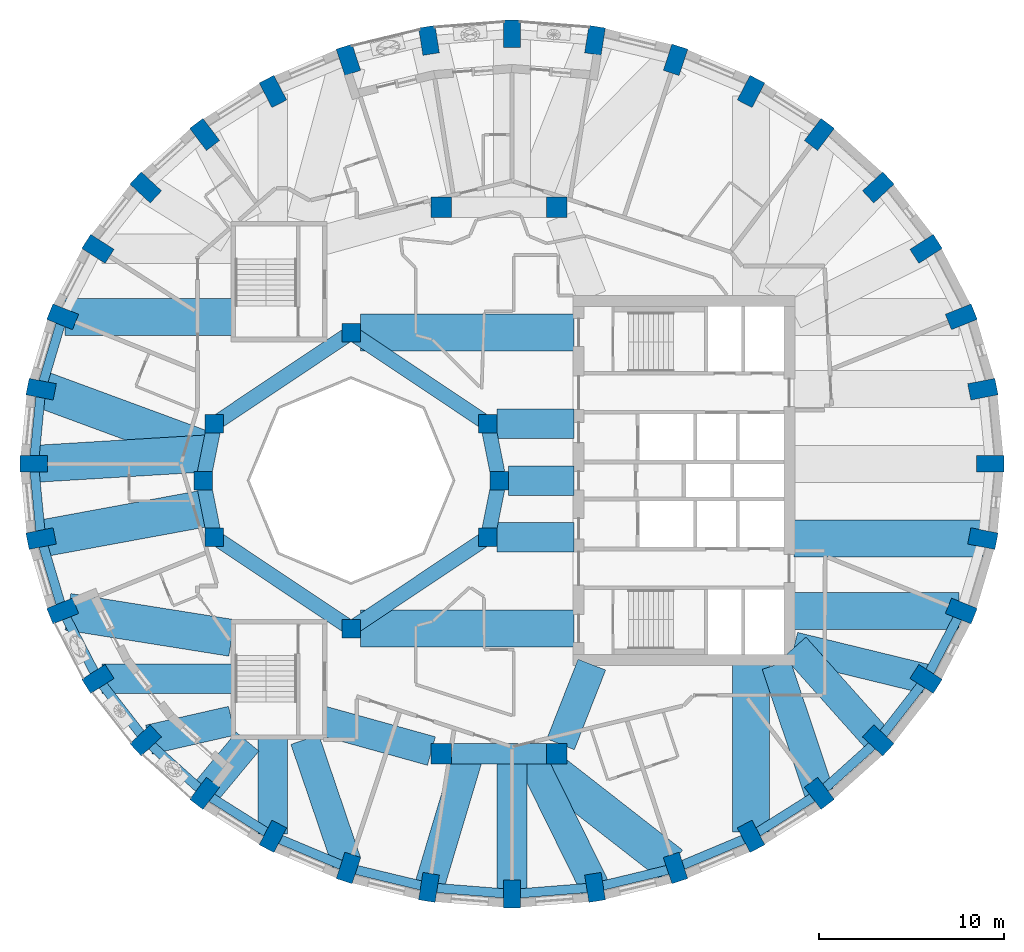
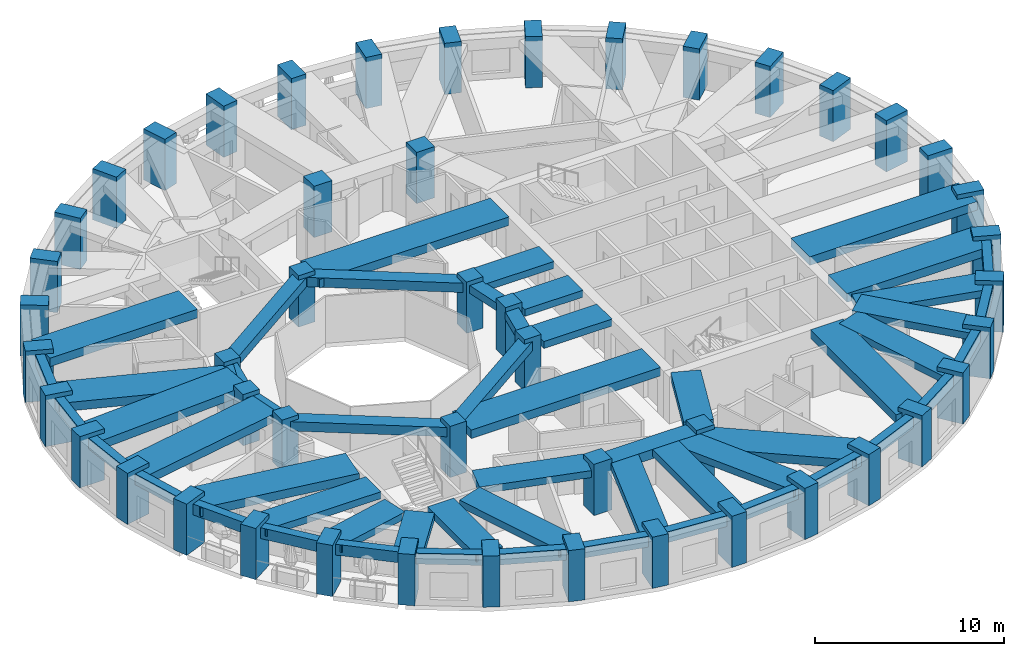
# One storey, part 1 of 12: 54 beams, 48 columns.
"""IFC4 building model written with IfcOpenShell, lengths in metres."""

from ifc_helpers import new_model, si_unit, direction, frame, origin, origin_2d, place, context, subcontext, project, spatial, rectangle, extrude, material, material_profile, profile_set, type_object, element, save


model = new_model("IFC4")

# Units and contexts
model_context = context("Model", 3, precision=1e-05, world=origin(), true_north=direction((0.0, 1.0)))
body_context = subcontext(model_context, "Body", "Model", "MODEL_VIEW")
ifc_project = project(units=[si_unit("LENGTHUNIT", "METRE"), si_unit("AREAUNIT", "SQUARE_METRE"), si_unit("VOLUMEUNIT", "CUBIC_METRE"), si_unit("PLANEANGLEUNIT", "RADIAN"), si_unit("MASSUNIT", "GRAM", prefix="KILO")], contexts=[model_context])

# Site, building, storey
site_placement = place(None, origin())
site = spatial("IfcSite", under=ifc_project, at=site_placement, CompositionType="ELEMENT")
building_placement = place(site_placement, origin())
building = spatial("IfcBuilding", under=site, at=building_placement, Name="Taillehof Tower", CompositionType="ELEMENT")
storey_placement = place(building_placement, frame((0.0, 0.0, 218.89990234375)))
storey = spatial("IfcBuildingStorey", under=building, at=storey_placement, Name="L62", CompositionType="ELEMENT", Elevation=218.89990234375)

# Columns
ifc_material_1 = material(Name="Concrete C50/60", Category="concrete")
ifc_material_profile_1 = material_profile(ifc_material_1, rectangle(XDim=1.0, YDim=1.0, at=origin_2d()), Name="RC 1000x1000")
ifc_profile_set_1 = profile_set([ifc_material_profile_1], Name="Concrete C50/60")
column_type_1 = type_object("IfcColumnType", Name="Atrium ring column C50/60 1000x1000", PredefinedType="COLUMN", material=ifc_profile_set_1)
for number, where, z_axis, x_axis, name in (
    (1, (0.0, 0.0, 0.0), (0.0, 0.0, 1.0), (1.0, 0.0, 0.0), "Column AC01"),
    (2, (-0.60888671875, 3.0615234375, 0.0), (0.0, 0.0, 1.0), (1.0, 0.0, 0.0), "Column AC02"),
    (3, (-8.0, 8.0, 0.0), (0.0, 0.0, 1.0), (1.0, 0.0, 0.0), "Column AC05"),
    (4, (-15.39111328125, 3.0615234375, 0.0), (0.0, 0.0, 1.0), (1.0, 0.0, 0.0), "Column AC08"),
    (5, (-16.0, 0.0, 0.0), (0.0, 0.0, 1.0), (1.0, 0.0, 0.0), "Column AC09"),
    (6, (-15.39111328125, -3.0615234375, 0.0), (0.0, 0.0, 1.0), (1.0, 0.0, 0.0), "Column AC10"),
    (7, (-8.0, -8.0, 0.0), (0.0, 0.0, 1.0), (1.0, 0.0, 0.0), "Column AC13"),
    (8, (-0.60888671875, -3.0615234375, 0.0), (0.0, 0.0, 1.0), (1.0, 0.0, 0.0), "Column AC16"),
):
    element("IfcColumn", number, at=place(storey_placement, frame(where, z_axis=z_axis, x_axis=x_axis)), inside=storey, type_object=column_type_1, Name=name, PredefinedType="COLUMN", context=body_context, shape_type="SweptSolid", body=[
        extrude(rectangle(XDim=1.0, YDim=1.0, at=origin_2d()), origin(), (0.0, 0.0, 1.0), 3.300048828125),
    ])
ifc_material_2 = material(Name="Concrete C50/60", Category="concrete")
ifc_material_profile_2 = material_profile(ifc_material_2, rectangle(XDim=1.10009765625, YDim=1.10009765625, at=origin_2d()), Name="RC 1100x1100")
ifc_profile_set_2 = profile_set([ifc_material_profile_2], Name="Concrete C50/60")
column_type_2 = type_object("IfcColumnType", Name="Mid-ring column C50/60 1100x1100", PredefinedType="COLUMN", material=ifc_profile_set_2)
for number, where, z_axis, x_axis, name in (
    (9, (3.125732421875, 14.772216796875, 0.0), (0.0, 0.0, 1.0), (1.0, 0.0, 0.0), "Column MC05"),
    (10, (-3.125732421875, 14.772216796875, 0.0), (0.0, 0.0, 1.0), (1.0, 0.0, 0.0), "Column MC06"),
    (11, (-3.125732421875, -14.772216796875, 0.0), (0.0, 0.0, 1.0), (1.0, 0.0, 0.0), "Column MC14"),
    (12, (3.125732421875, -14.772216796875, 0.0), (0.0, 0.0, 1.0), (1.0, 0.0, 0.0), "Column MC15"),
):
    element("IfcColumn", number, at=place(storey_placement, frame(where, z_axis=z_axis, x_axis=x_axis)), inside=storey, type_object=column_type_2, Name=name, PredefinedType="COLUMN", context=body_context, shape_type="SweptSolid", body=[
        extrude(rectangle(XDim=1.10009765625, YDim=1.10009765625, at=origin_2d()), origin(), (0.0, 0.0, 1.0), 3.300048828125),
    ])
ifc_material_3 = material(Name="Concrete C60/75", Category="concrete")
ifc_material_profile_3 = material_profile(ifc_material_3, rectangle(XDim=1.5, YDim=0.89990234375, at=origin_2d()), Name="RC 1500x900")
ifc_profile_set_3 = profile_set([ifc_material_profile_3], Name="Concrete C60/75")
column_type_3 = type_object("IfcColumnType", Name="Ring column C60/75 1500x900", PredefinedType="COLUMN", material=ifc_profile_set_3)
for number, where, z_axis, x_axis, name in (
    (13, (26.550048828125, 0.89990234375, 0.0), (0.0, 0.0, 1.0), (1.0, 0.0, 0.0), "Ring column RC01"),
    (14, (26.1572265625, 4.937255859375, 0.0), (0.0, 0.0, 1.0), (0.981433894538, 0.191800705555, 0.0), "Ring column RC02"),
    (15, (24.990966796875, 8.85205078125, 0.0), (0.0, 0.0, 1.0), (0.927385290523, 0.374107635477, 0.0), "Ring column RC03"),
    (16, (23.086669921875, 12.52490234375, 0.0), (0.0, 0.0, 1.0), (0.84231094199, 0.538991908107, 0.0), "Ring column RC04"),
    (17, (20.502197265625, 15.8447265625, 0.0), (0.0, 0.0, 1.0), (0.732270888356, 0.681013469813, 0.0), "Ring column RC05"),
    (18, (17.316162109375, 18.71044921875, 0.0), (0.0, 0.0, 1.0), (0.60360770772, 0.797281465469, 0.0), "Ring column RC06"),
    (19, (13.625, 21.03515625, 0.0), (0.0, 0.0, 1.0), (0.461993199576, 0.886883466722, 0.0), "Ring column RC07"),
    (20, (9.541259765625, 22.747802734375, 0.0), (0.0, 0.0, 1.0), (0.312001306843, 0.950081672557, 0.0), "Ring column RC08"),
    (21, (5.188720703125, 23.796875, 0.0), (0.0, 0.0, 1.0), (0.157116034607, 0.987580149491, 0.0), "Ring column RC09"),
    (22, (0.699951171875, 24.14990234375, 0.0), (0.0, 0.0, 1.0), (0.0, 1.0, 0.0), "Ring column RC10"),
    (23, (-3.788818359375, 23.796875, 0.0), (0.0, 0.0, 1.0), (-0.157116034607, 0.987580149491, 0.0), "Ring column RC11"),
    (24, (-8.14111328125, 22.747802734375, 0.0), (0.0, 0.0, 1.0), (-0.312001306843, 0.950081672557, 0.0), "Ring column RC12"),
    (25, (-12.22509765625, 21.03515625, 0.0), (0.0, 0.0, 1.0), (-0.461993199576, 0.886883466722, 0.0), "Ring column RC13"),
    (26, (-15.916015625, 18.71044921875, 0.0), (0.0, 0.0, 1.0), (-0.60360770772, 0.797281465469, 0.0), "Ring column RC14"),
    (27, (-19.102294921875, 15.8447265625, 0.0), (0.0, 0.0, 1.0), (-0.732270888356, 0.681013469813, 0.0), "Ring column RC15"),
    (28, (-21.686767578125, 12.52490234375, 0.0), (0.0, 0.0, 1.0), (-0.84231094199, 0.538991908107, 0.0), "Ring column RC16"),
    (29, (-23.591064453125, 8.85205078125, 0.0), (0.0, 0.0, 1.0), (-0.927385290523, 0.374107635477, 0.0), "Ring column RC17"),
    (30, (-24.75732421875, 4.937255859375, 0.0), (0.0, 0.0, 1.0), (-0.981433894538, 0.191800705555, 0.0), "Ring column RC18"),
    (31, (-25.14990234375, 0.89990234375, 0.0), (0.0, 0.0, 1.0), (-1.0, 0.0, 0.0), "Ring column RC19"),
    (32, (-24.75732421875, -3.13720703125, 0.0), (0.0, 0.0, 1.0), (-0.981433894538, -0.191800705555, 0.0), "Ring column RC20"),
    (33, (-23.591064453125, -7.052001953125, 0.0), (0.0, 0.0, 1.0), (-0.927385290523, -0.374107635477, 0.0), "Ring column RC21"),
    (34, (-21.686767578125, -10.72509765625, 0.0), (0.0, 0.0, 1.0), (-0.84231094199, -0.538991908107, 0.0), "Ring column RC22"),
    (35, (-19.102294921875, -14.044921875, 0.0), (0.0, 0.0, 1.0), (-0.732270888356, -0.681013469813, 0.0), "Ring column RC23"),
    (36, (-15.916015625, -16.91064453125, 0.0), (0.0, 0.0, 1.0), (-0.60360770772, -0.797281465469, 0.0), "Ring column RC24"),
    (37, (-12.22509765625, -19.235107421875, 0.0), (0.0, 0.0, 1.0), (-0.461993199576, -0.886883466722, 0.0), "Ring column RC25"),
    (38, (-8.14111328125, -20.94775390625, 0.0), (0.0, 0.0, 1.0), (-0.312001306843, -0.950081672557, 0.0), "Ring column RC26"),
    (39, (-3.788818359375, -21.996826171875, 0.0), (0.0, 0.0, 1.0), (-0.157116034607, -0.987580149491, 0.0), "Ring column RC27"),
    (40, (0.699951171875, -22.35009765625, 0.0), (0.0, 0.0, 1.0), (0.0, -1.0, 0.0), "Ring column RC28"),
    (41, (5.188720703125, -21.996826171875, 0.0), (0.0, 0.0, 1.0), (0.157116034607, -0.987580149491, 0.0), "Ring column RC29"),
    (42, (9.541259765625, -20.94775390625, 0.0), (0.0, 0.0, 1.0), (0.312001306843, -0.950081672557, 0.0), "Ring column RC30"),
    (43, (13.625, -19.235107421875, 0.0), (0.0, 0.0, 1.0), (0.461993199576, -0.886883466722, 0.0), "Ring column RC31"),
    (44, (17.316162109375, -16.91064453125, 0.0), (0.0, 0.0, 1.0), (0.60360770772, -0.797281465469, 0.0), "Ring column RC32"),
    (45, (20.502197265625, -14.044921875, 0.0), (0.0, 0.0, 1.0), (0.732270888356, -0.681013469813, 0.0), "Ring column RC33"),
    (46, (23.086669921875, -10.72509765625, 0.0), (0.0, 0.0, 1.0), (0.84231094199, -0.538991908107, 0.0), "Ring column RC34"),
    (47, (24.990966796875, -7.052001953125, 0.0), (0.0, 0.0, 1.0), (0.927385290523, -0.374107635477, 0.0), "Ring column RC35"),
    (48, (26.1572265625, -3.13720703125, 0.0), (0.0, 0.0, 1.0), (0.981433894538, -0.191800705555, 0.0), "Ring column RC36"),
):
    element("IfcColumn", number, at=place(storey_placement, frame(where, z_axis=z_axis, x_axis=x_axis)), inside=storey, type_object=column_type_3, Name=name, PredefinedType="COLUMN", context=body_context, shape_type="SweptSolid", body=[
        extrude(rectangle(XDim=1.5, YDim=0.89990234375, at=origin_2d()), origin(), (0.0, 0.0, 1.0), 3.300048828125),
    ])

# Beams
ifc_material_4 = material(Name="Concrete C50/60", Category="concrete")
ifc_material_profile_4 = material_profile(ifc_material_4, rectangle(XDim=0.800048828125, YDim=0.5, at=origin_2d()), Name="RC 800x500")
ifc_profile_set_4 = profile_set([ifc_material_profile_4], Name="Concrete C50/60")
beam_type_1 = type_object("IfcBeamType", Name="Atrium ring beam C50/60 800x500", PredefinedType="BEAM", material=ifc_profile_set_4)
for number, where, z_axis, x_axis, name in (
    (49, (0.0, 0.0, 2.77001953125), (-0.195063155143, 0.980790683839, 0.0), (-0.980790683839, -0.195063155143, 0.0), "Atrium ring beam AB01"),
    (50, (-15.39111328125, 3.0615234375, 2.77001953125), (-0.195063155143, -0.980790683839, 0.0), (0.980790683839, -0.195063155143, 0.0), "Atrium ring beam AB04"),
    (51, (-16.0, 0.0, 2.77001953125), (0.195063155143, -0.980790683839, 0.0), (0.980790683839, 0.195063155143, 0.0), "Atrium ring beam AB05"),
    (52, (-0.60888671875, -3.0615234375, 2.77001953125), (0.195063155143, 0.980790683839, 0.0), (-0.980790683839, 0.195063155143, 0.0), "Atrium ring beam AB08"),
):
    element("IfcBeam", number, at=place(storey_placement, frame(where, z_axis=z_axis, x_axis=x_axis)), inside=storey, type_object=beam_type_1, Name=name, PredefinedType="BEAM", context=body_context, shape_type="SweptSolid", body=[
        extrude(rectangle(XDim=0.800048828125, YDim=0.5, at=origin_2d()), origin(), (0.0, 0.0, 1.0), 3.12158203125),
    ])
ifc_material_5 = material(Name="Concrete C50/60", Category="concrete")
ifc_material_profile_5 = material_profile(ifc_material_5, rectangle(XDim=0.800048828125, YDim=0.60009765625, at=origin_2d()), Name="RC 800x600")
ifc_profile_set_5 = profile_set([ifc_material_profile_5], Name="Concrete C50/60")
beam_type_2 = type_object("IfcBeamType", Name="Atrium ring beam C50/60 800x600", PredefinedType="BEAM", material=ifc_profile_set_5)
for number, where, z_axis, x_axis, name in (
    (53, (-0.60888671875, 3.0615234375, 2.72021484375), (-0.831475195687, 0.555561876804, 0.0), (-0.555561876804, -0.831475195687, 0.0), "Atrium ring beam AB02"),
    (54, (-8.0, 8.0, 2.72021484375), (-0.831475195687, -0.555561876804, 0.0), (0.555561876804, -0.831475195687, 0.0), "Atrium ring beam AB03"),
    (55, (-15.39111328125, -3.0615234375, 2.72021484375), (0.831475195687, -0.555561876804, 0.0), (0.555561876804, 0.831475195687, 0.0), "Atrium ring beam AB06"),
    (56, (-8.0, -8.0, 2.72021484375), (0.831475195687, 0.555561876804, 0.0), (-0.555561876804, 0.831475195687, 0.0), "Atrium ring beam AB07"),
):
    element("IfcBeam", number, at=place(storey_placement, frame(where, z_axis=z_axis, x_axis=x_axis)), inside=storey, type_object=beam_type_2, Name=name, PredefinedType="BEAM", context=body_context, shape_type="SweptSolid", body=[
        extrude(rectangle(XDim=0.800048828125, YDim=0.60009765625, at=origin_2d()), origin(), (0.0, 0.0, 1.0), 8.88916015625),
    ])
ifc_material_6 = material(Name="Concrete C50/60", Category="concrete")
ifc_material_profile_6 = material_profile(ifc_material_6, rectangle(XDim=1.10009765625, YDim=0.60009765625, at=origin_2d()), Name="RC 1100x600")
ifc_profile_set_6 = profile_set([ifc_material_profile_6], Name="Concrete C50/60")
beam_type_3 = type_object("IfcBeamType", Name="Mid-ring beam C50/60 1100x600", PredefinedType="BEAM", material=ifc_profile_set_6)
beam_1_placement = place(storey_placement, frame((-3.125732421875, -14.772216796875, 2.72021484375), z_axis=(1.0, 0.0, 0.0), x_axis=(0.0, 1.0, 0.0)))
element("IfcBeam", 57, at=beam_1_placement, inside=storey, type_object=beam_type_3, Name="Mid-ring beam MB02", PredefinedType="BEAM", context=body_context, shape_type="SweptSolid", body=[
    extrude(rectangle(XDim=1.10009765625, YDim=0.60009765625, at=origin_2d()), origin(), (0.0, 0.0, 1.0), 6.25146484375),
])
ifc_material_7 = material(Name="Concrete C50/60", Category="concrete")
ifc_material_profile_7 = material_profile(ifc_material_7, rectangle(XDim=1.60009765625, YDim=0.449951171875, at=origin_2d()), Name="RC 1600x450")
ifc_profile_set_7 = profile_set([ifc_material_profile_7], Name="Concrete C50/60")
beam_type_4 = type_object("IfcBeamType", Name="Radial band beam C50/60 1600x450", PredefinedType="BEAM", material=ifc_profile_set_7)
beam_2_placement = place(storey_placement, frame((-21.47021484375, -10.72509765625, 2.795166015625), z_axis=(1.0, 0.0, 0.0), x_axis=(0.0, 1.0, 0.0)))
element("IfcBeam", 58, at=beam_2_placement, inside=storey, type_object=beam_type_4, Name="Radial band beam RB22", PredefinedType="BEAM", context=body_context, shape_type="SweptSolid", body=[
    extrude(rectangle(XDim=1.60009765625, YDim=0.449951171875, at=origin_2d()), origin(), (0.0, 0.0, 1.0), 7.020263671875),
])
beam_3_placement = place(storey_placement, frame((-18.929931640625, -14.005615234375, 2.795166015625), z_axis=(0.975193914537, 0.221352273651, 0.0), x_axis=(-0.221352273651, 0.975193914537, 0.0)))
element("IfcBeam", 59, at=beam_3_placement, inside=storey, type_object=beam_type_4, Name="Radial band beam RB23", PredefinedType="BEAM", context=body_context, shape_type="SweptSolid", body=[
    extrude(rectangle(XDim=1.60009765625, YDim=0.449951171875, at=origin_2d()), origin(), (0.0, 0.0, 1.0), 4.5927734375),
])
beam_4_placement = place(storey_placement, frame((-15.916015625, -16.91064453125, 2.795166015625), z_axis=(0.638722345868, 0.769437304066, 0.0), x_axis=(-0.769437304066, 0.638722345868, 0.0)))
element("IfcBeam", 60, at=beam_4_placement, inside=storey, type_object=beam_type_4, Name="Radial band beam RB24", PredefinedType="BEAM", context=body_context, shape_type="SweptSolid", body=[
    extrude(rectangle(XDim=1.60009765625, YDim=0.449951171875, at=origin_2d()), origin(), (0.0, 0.0, 1.0), 3.6328125),
])
beam_5_placement = place(storey_placement, frame((-12.22509765625, -19.101318359375, 2.795166015625), z_axis=(0.0, 1.0, 0.0), x_axis=(-1.0, 0.0, 0.0)))
element("IfcBeam", 61, at=beam_5_placement, inside=storey, type_object=beam_type_4, Name="Radial band beam RB25", PredefinedType="BEAM", context=body_context, shape_type="SweptSolid", body=[
    extrude(rectangle(XDim=1.60009765625, YDim=0.449951171875, at=origin_2d()), origin(), (0.0, 0.0, 1.0), 5.1513671875),
])
beam_6_placement = place(storey_placement, frame((-8.233642578125, -20.675537109375, 2.795166015625), z_axis=(-0.321475101084, 0.94691803203, 0.0), x_axis=(-0.94691803203, -0.321475101084, 0.0)))
element("IfcBeam", 62, at=beam_6_placement, inside=storey, type_object=beam_type_4, Name="Radial band beam RB26", PredefinedType="BEAM", context=body_context, shape_type="SweptSolid", body=[
    extrude(rectangle(XDim=1.60009765625, YDim=0.449951171875, at=origin_2d()), origin(), (0.0, 0.0, 1.0), 7.042236328125),
])
beam_7_placement = place(storey_placement, frame((-3.788818359375, -21.996826171875, 2.795166015625), z_axis=(0.286825122153, 0.957982958774, 0.0), x_axis=(-0.957982958774, 0.286825122153, 0.0)))
element("IfcBeam", 63, at=beam_7_placement, inside=storey, type_object=beam_type_4, Name="Radial band beam RB27", PredefinedType="BEAM", context=body_context, shape_type="SweptSolid", body=[
    extrude(rectangle(XDim=1.60009765625, YDim=0.449951171875, at=origin_2d()), origin(), (0.0, 0.0, 1.0), 7.54150390625),
])
beam_8_placement = place(storey_placement, frame((0.699951171875, -22.35009765625, 2.795166015625), z_axis=(0.0, 1.0, 0.0), x_axis=(-1.0, 0.0, 0.0)))
element("IfcBeam", 64, at=beam_8_placement, inside=storey, type_object=beam_type_4, Name="Radial band beam RB28", PredefinedType="BEAM", context=body_context, shape_type="SweptSolid", body=[
    extrude(rectangle(XDim=1.60009765625, YDim=0.449951171875, at=origin_2d()), origin(), (0.0, 0.0, 1.0), 7.577880859375),
])
beam_9_placement = place(storey_placement, frame((5.188720703125, -21.996826171875, 2.795166015625), z_axis=(-0.442309181818, 0.896862635903, 0.0), x_axis=(-0.896862635903, -0.442309181818, 0.0)))
element("IfcBeam", 65, at=beam_9_placement, inside=storey, type_object=beam_type_4, Name="Radial band beam RB29", PredefinedType="BEAM", context=body_context, shape_type="SweptSolid", body=[
    extrude(rectangle(XDim=1.60009765625, YDim=0.449951171875, at=origin_2d()), origin(), (0.0, 0.0, 1.0), 8.055419921875),
])
beam_10_placement = place(storey_placement, frame((17.314697265625, -16.906494140625, 2.795166015625), z_axis=(-0.317775276173, 0.948166058164, 0.0), x_axis=(-0.948166058164, -0.317775276173, 0.0)))
element("IfcBeam", 66, at=beam_10_placement, inside=storey, type_object=beam_type_4, Name="Radial band beam RB32", PredefinedType="BEAM", context=body_context, shape_type="SweptSolid", body=[
    extrude(rectangle(XDim=1.60009765625, YDim=0.449951171875, at=origin_2d()), origin(), (0.0, 0.0, 1.0), 7.333984375),
])
beam_11_placement = place(storey_placement, frame((20.502197265625, -14.044921875, 2.795166015625), z_axis=(-0.665845101725, 0.746090008316, 0.0), x_axis=(-0.746090008316, -0.665845101725, 0.0)))
element("IfcBeam", 67, at=beam_11_placement, inside=storey, type_object=beam_type_4, Name="Radial band beam RB33", PredefinedType="BEAM", context=body_context, shape_type="SweptSolid", body=[
    extrude(rectangle(XDim=1.60009765625, YDim=0.449951171875, at=origin_2d()), origin(), (0.0, 0.0, 1.0), 6.766357421875),
])
beam_12_placement = place(storey_placement, frame((23.07568359375, -10.722412109375, 2.795166015625), z_axis=(-0.971629977108, 0.236506210459, 0.0), x_axis=(-0.236506210459, -0.971629977108, 0.0)))
element("IfcBeam", 68, at=beam_12_placement, inside=storey, type_object=beam_type_4, Name="Radial band beam RB34", PredefinedType="BEAM", context=body_context, shape_type="SweptSolid", body=[
    extrude(rectangle(XDim=1.60009765625, YDim=0.449951171875, at=origin_2d()), origin(), (0.0, 0.0, 1.0), 7.332275390625),
])
beam_13_placement = place(storey_placement, frame((0.5, 0.0, 2.795166015625), z_axis=(1.0, 0.0, 0.0), x_axis=(0.0, 1.0, 0.0)))
element("IfcBeam", 69, at=beam_13_placement, inside=storey, type_object=beam_type_4, Name="Inner band beam IB101", PredefinedType="BEAM", context=body_context, shape_type="SweptSolid", body=[
    extrude(rectangle(XDim=1.60009765625, YDim=0.449951171875, at=origin_2d()), origin(), (0.0, 0.0, 1.0), 3.550048828125),
])
for number, where, z_axis, x_axis, name in (
    (70, (-0.10888671875, 3.0615234375, 2.795166015625), (1.0, 0.0, 0.0), (0.0, 1.0, 0.0), "Inner band beam IB102"),
    (71, (-0.10888671875, -3.0615234375, 2.795166015625), (1.0, 0.0, 0.0), (0.0, 1.0, 0.0), "Inner band beam IB116"),
):
    element("IfcBeam", number, at=place(storey_placement, frame(where, z_axis=z_axis, x_axis=x_axis)), inside=storey, type_object=beam_type_4, Name=name, PredefinedType="BEAM", context=body_context, shape_type="SweptSolid", body=[
        extrude(rectangle(XDim=1.60009765625, YDim=0.449951171875, at=origin_2d()), origin(), (0.0, 0.0, 1.0), 4.158935546875),
    ])
beam_14_placement = place(storey_placement, frame((-3.655517578125, -14.624755859375, 2.795166015625), z_axis=(-0.963459369536, 0.267854518821, 0.0), x_axis=(-0.267854518821, -0.963459369536, 0.0)))
element("IfcBeam", 72, at=beam_14_placement, inside=storey, type_object=beam_type_4, Name="Inner band beam IB214", PredefinedType="BEAM", context=body_context, shape_type="SweptSolid", body=[
    extrude(rectangle(XDim=1.60009765625, YDim=0.449951171875, at=origin_2d()), origin(), (0.0, 0.0, 1.0), 6.096923828125),
])
beam_15_placement = place(storey_placement, frame((3.32666015625, -14.26025390625, 2.795166015625), z_axis=(0.365588707223, 0.930776502255, 0.0), x_axis=(-0.930776502255, 0.365588707223, 0.0)))
element("IfcBeam", 73, at=beam_15_placement, inside=storey, type_object=beam_type_4, Name="Inner band beam IB215", PredefinedType="BEAM", context=body_context, shape_type="SweptSolid", body=[
    extrude(rectangle(XDim=1.60009765625, YDim=0.449951171875, at=origin_2d()), origin(), (0.0, 0.0, 1.0), 4.627197265625),
])
ifc_material_8 = material(Name="Concrete C50/60", Category="concrete")
ifc_material_profile_8 = material_profile(ifc_material_8, rectangle(XDim=2.0, YDim=0.550048828125, at=origin_2d()), Name="RC 2000x550")
ifc_profile_set_8 = profile_set([ifc_material_profile_8], Name="Concrete C50/60")
beam_type_5 = type_object("IfcBeamType", Name="Radial band beam C50/60 2000x550", PredefinedType="BEAM", material=ifc_profile_set_8)
beam_16_placement = place(storey_placement, frame((-23.4560546875, 8.85205078125, 2.7451171875), z_axis=(1.0, 0.0, 0.0), x_axis=(0.0, 1.0, 0.0)))
element("IfcBeam", 74, at=beam_16_placement, inside=storey, type_object=beam_type_5, Name="Radial band beam RB17", PredefinedType="BEAM", context=body_context, shape_type="SweptSolid", body=[
    extrude(rectangle(XDim=2.0, YDim=0.550048828125, at=origin_2d()), origin(), (0.0, 0.0, 1.0), 9.006103515625),
])
beam_17_placement = place(storey_placement, frame((-24.75732421875, 4.937255859375, 2.7451171875), z_axis=(0.938209870924, -0.346066811615, 0.0), x_axis=(0.346066811615, 0.938209870924, 0.0)))
element("IfcBeam", 75, at=beam_17_placement, inside=storey, type_object=beam_type_5, Name="Radial band beam RB18", PredefinedType="BEAM", context=body_context, shape_type="SweptSolid", body=[
    extrude(rectangle(XDim=2.0, YDim=0.550048828125, at=origin_2d()), origin(), (0.0, 0.0, 1.0), 9.67138671875),
])
beam_18_placement = place(storey_placement, frame((-25.14990234375, 0.89990234375, 2.7451171875), z_axis=(0.998174819199, 0.060390647592, 0.0), x_axis=(-0.060390647592, 0.998174819199, 0.0)))
element("IfcBeam", 76, at=beam_18_placement, inside=storey, type_object=beam_type_5, Name="Radial band beam RB19", PredefinedType="BEAM", context=body_context, shape_type="SweptSolid", body=[
    extrude(rectangle(XDim=2.0, YDim=0.550048828125, at=origin_2d()), origin(), (0.0, 0.0, 1.0), 9.4599609375),
])
beam_19_placement = place(storey_placement, frame((-24.75732421875, -3.13720703125, 2.7451171875), z_axis=(0.983474452744, 0.181046957445, 0.0), x_axis=(-0.181046957445, 0.983474452744, 0.0)))
element("IfcBeam", 77, at=beam_19_placement, inside=storey, type_object=beam_type_5, Name="Radial band beam RB20", PredefinedType="BEAM", context=body_context, shape_type="SweptSolid", body=[
    extrude(rectangle(XDim=2.0, YDim=0.550048828125, at=origin_2d()), origin(), (0.0, 0.0, 1.0), 9.2021484375),
])
beam_20_placement = place(storey_placement, frame((-23.3076171875, -7.09716796875, 2.7451171875), z_axis=(0.987552836313, -0.157287620272, 0.0), x_axis=(0.157287620272, 0.987552836313, 0.0)))
element("IfcBeam", 78, at=beam_20_placement, inside=storey, type_object=beam_type_5, Name="Radial band beam RB21", PredefinedType="BEAM", context=body_context, shape_type="SweptSolid", body=[
    extrude(rectangle(XDim=2.0, YDim=0.550048828125, at=origin_2d()), origin(), (0.0, 0.0, 1.0), 8.968505859375),
])
beam_21_placement = place(storey_placement, frame((9.3076171875, -20.765625, 2.7451171875), z_axis=(-0.788425359087, 0.615130435882, 0.0), x_axis=(-0.615130435882, -0.788425359087, 0.0)))
element("IfcBeam", 79, at=beam_21_placement, inside=storey, type_object=beam_type_5, Name="Radial band beam RB30", PredefinedType="BEAM", context=body_context, shape_type="SweptSolid", body=[
    extrude(rectangle(XDim=2.0, YDim=0.550048828125, at=origin_2d()), origin(), (0.0, 0.0, 1.0), 9.35595703125),
])
beam_22_placement = place(storey_placement, frame((13.625, -18.99755859375, 2.7451171875), z_axis=(0.0, 1.0, 0.0), x_axis=(-1.0, 0.0, 0.0)))
element("IfcBeam", 80, at=beam_22_placement, inside=storey, type_object=beam_type_5, Name="Radial band beam RB31", PredefinedType="BEAM", context=body_context, shape_type="SweptSolid", body=[
    extrude(rectangle(XDim=2.0, YDim=0.550048828125, at=origin_2d()), origin(), (0.0, 0.0, 1.0), 9.047607421875),
])
beam_23_placement = place(storey_placement, frame((24.856201171875, -7.052001953125, 2.7451171875), z_axis=(-1.0, 0.0, 0.0), x_axis=(0.0, -1.0, 0.0)))
element("IfcBeam", 81, at=beam_23_placement, inside=storey, type_object=beam_type_5, Name="Radial band beam RB35", PredefinedType="BEAM", context=body_context, shape_type="SweptSolid", body=[
    extrude(rectangle(XDim=2.0, YDim=0.550048828125, at=origin_2d()), origin(), (0.0, 0.0, 1.0), 8.90625),
])
beam_24_placement = place(storey_placement, frame((26.1572265625, -3.13720703125, 2.7451171875), z_axis=(-1.0, 0.0, 0.0), x_axis=(0.0, -1.0, 0.0)))
element("IfcBeam", 82, at=beam_24_placement, inside=storey, type_object=beam_type_5, Name="Radial band beam RB36", PredefinedType="BEAM", context=body_context, shape_type="SweptSolid", body=[
    extrude(rectangle(XDim=2.0, YDim=0.550048828125, at=origin_2d()), origin(), (0.0, 0.0, 1.0), 10.207275390625),
])
for number, where, z_axis, x_axis, name in (
    (83, (-7.5, 8.0, 2.7451171875), (1.0, 0.0, 0.0), (0.0, 1.0, 0.0), "Inner band beam IB105"),
    (84, (-7.5, -8.0, 2.7451171875), (1.0, 0.0, 0.0), (0.0, 1.0, 0.0), "Inner band beam IB113"),
):
    element("IfcBeam", number, at=place(storey_placement, frame(where, z_axis=z_axis, x_axis=x_axis)), inside=storey, type_object=beam_type_5, Name=name, PredefinedType="BEAM", context=body_context, shape_type="SweptSolid", body=[
        extrude(rectangle(XDim=2.0, YDim=0.550048828125, at=origin_2d()), origin(), (0.0, 0.0, 1.0), 11.550048828125),
    ])
ifc_material_9 = material(Name="Concrete C50/60", Category="concrete")
ifc_material_profile_9 = material_profile(ifc_material_9, rectangle(XDim=0.5, YDim=0.699951171875, at=origin_2d()), Name="RC 500x700")
ifc_profile_set_9 = profile_set([ifc_material_profile_9], Name="Concrete C50/60")
beam_type_6 = type_object("IfcBeamType", Name="Spandrel beam C50/60 500x700", PredefinedType="SPANDREL", material=ifc_profile_set_9)
beam_25_placement = place(storey_placement, frame((-23.591064453125, 8.85205078125, 2.670166015625), z_axis=(-0.285510458946, -0.9583755933, 0.0), x_axis=(0.9583755933, -0.285510458946, 0.0)))
element("IfcBeam", 85, at=beam_25_placement, inside=storey, type_object=beam_type_6, Name="Spandrel beam SB17", PredefinedType="SPANDREL", context=body_context, shape_type="SweptSolid", body=[
    extrude(rectangle(XDim=0.5, YDim=0.699951171875, at=origin_2d()), origin(), (0.0, 0.0, 1.0), 4.084716796875),
])
beam_26_placement = place(storey_placement, frame((-24.75732421875, 4.937255859375, 2.670166015625), z_axis=(-0.096780051712, -0.995305793006, 0.0), x_axis=(0.995305793006, -0.096780051712, 0.0)))
element("IfcBeam", 86, at=beam_26_placement, inside=storey, type_object=beam_type_6, Name="Spandrel beam SB18", PredefinedType="SPANDREL", context=body_context, shape_type="SweptSolid", body=[
    extrude(rectangle(XDim=0.5, YDim=0.699951171875, at=origin_2d()), origin(), (0.0, 0.0, 1.0), 4.056396484375),
])
beam_27_placement = place(storey_placement, frame((-25.14990234375, 0.89990234375, 2.670166015625), z_axis=(0.096785849576, -0.995305229225, 0.0), x_axis=(0.995305229225, 0.096785849576, 0.0)))
element("IfcBeam", 87, at=beam_27_placement, inside=storey, type_object=beam_type_6, Name="Spandrel beam SB19", PredefinedType="SPANDREL", context=body_context, shape_type="SweptSolid", body=[
    extrude(rectangle(XDim=0.5, YDim=0.699951171875, at=origin_2d()), origin(), (0.0, 0.0, 1.0), 4.05615234375),
])
beam_28_placement = place(storey_placement, frame((-24.75732421875, -3.13720703125, 2.670166015625), z_axis=(0.285510458946, -0.9583755933, 0.0), x_axis=(0.9583755933, 0.285510458946, 0.0)))
element("IfcBeam", 88, at=beam_28_placement, inside=storey, type_object=beam_type_6, Name="Spandrel beam SB20", PredefinedType="SPANDREL", context=body_context, shape_type="SweptSolid", body=[
    extrude(rectangle(XDim=0.5, YDim=0.699951171875, at=origin_2d()), origin(), (0.0, 0.0, 1.0), 4.084716796875),
])
beam_29_placement = place(storey_placement, frame((-23.591064453125, -7.052001953125, 2.670166015625), z_axis=(0.460265491458, -0.887781322947, 0.0), x_axis=(0.887781322947, 0.460265491458, 0.0)))
element("IfcBeam", 89, at=beam_29_placement, inside=storey, type_object=beam_type_6, Name="Spandrel beam SB21", PredefinedType="SPANDREL", context=body_context, shape_type="SweptSolid", body=[
    extrude(rectangle(XDim=0.5, YDim=0.699951171875, at=origin_2d()), origin(), (0.0, 0.0, 1.0), 4.137451171875),
])
beam_30_placement = place(storey_placement, frame((-21.686767578125, -10.72509765625, 2.670166015625), z_axis=(0.614294081938, -0.789077170432, 0.0), x_axis=(0.789077170432, 0.614294081938, 0.0)))
element("IfcBeam", 90, at=beam_30_placement, inside=storey, type_object=beam_type_6, Name="Spandrel beam SB22", PredefinedType="SPANDREL", context=body_context, shape_type="SweptSolid", body=[
    extrude(rectangle(XDim=0.5, YDim=0.699951171875, at=origin_2d()), origin(), (0.0, 0.0, 1.0), 4.207275390625),
])
beam_31_placement = place(storey_placement, frame((-19.102294921875, -14.044921875, 2.670166015625), z_axis=(0.743517893617, -0.668716039789, 0.0), x_axis=(0.668716039789, 0.743517893617, 0.0)))
element("IfcBeam", 91, at=beam_31_placement, inside=storey, type_object=beam_type_6, Name="Spandrel beam SB23", PredefinedType="SPANDREL", context=body_context, shape_type="SweptSolid", body=[
    extrude(rectangle(XDim=0.5, YDim=0.699951171875, at=origin_2d()), origin(), (0.0, 0.0, 1.0), 4.285400390625),
])
beam_32_placement = place(storey_placement, frame((-15.916015625, -16.91064453125, 2.670166015625), z_axis=(0.846175819179, -0.532903821564, 0.0), x_axis=(0.532903821564, 0.846175819179, 0.0)))
element("IfcBeam", 92, at=beam_32_placement, inside=storey, type_object=beam_type_6, Name="Spandrel beam SB24", PredefinedType="SPANDREL", context=body_context, shape_type="SweptSolid", body=[
    extrude(rectangle(XDim=0.5, YDim=0.699951171875, at=origin_2d()), origin(), (0.0, 0.0, 1.0), 4.36181640625),
])
beam_33_placement = place(storey_placement, frame((-12.22509765625, -19.235107421875, 2.670166015625), z_axis=(0.922193747603, -0.386728188632, 0.0), x_axis=(0.386728188632, 0.922193747603, 0.0)))
element("IfcBeam", 93, at=beam_33_placement, inside=storey, type_object=beam_type_6, Name="Spandrel beam SB25", PredefinedType="SPANDREL", context=body_context, shape_type="SweptSolid", body=[
    extrude(rectangle(XDim=0.5, YDim=0.699951171875, at=origin_2d()), origin(), (0.0, 0.0, 1.0), 4.428466796875),
])
beam_34_placement = place(storey_placement, frame((-8.14111328125, -20.94775390625, 2.670166015625), z_axis=(0.972157646478, -0.234327784087, 0.0), x_axis=(0.234327784087, 0.972157646478, 0.0)))
element("IfcBeam", 94, at=beam_34_placement, inside=storey, type_object=beam_type_6, Name="Spandrel beam SB26", PredefinedType="SPANDREL", context=body_context, shape_type="SweptSolid", body=[
    extrude(rectangle(XDim=0.5, YDim=0.699951171875, at=origin_2d()), origin(), (0.0, 0.0, 1.0), 4.47705078125),
])
for number, where, z_axis, x_axis, name in (
    (95, (-3.788818359375, -21.996826171875, 2.670166015625), (0.996917374369, -0.078458579393, 0.0), (0.078458579393, 0.996917374369, 0.0), "Spandrel beam SB27"),
    (96, (0.699951171875, -22.35009765625, 2.670166015625), (0.996917374369, 0.078458579393, 0.0), (-0.078458579393, 0.996917374369, 0.0), "Spandrel beam SB28"),
):
    element("IfcBeam", number, at=place(storey_placement, frame(where, z_axis=z_axis, x_axis=x_axis)), inside=storey, type_object=beam_type_6, Name=name, PredefinedType="SPANDREL", context=body_context, shape_type="SweptSolid", body=[
        extrude(rectangle(XDim=0.5, YDim=0.699951171875, at=origin_2d()), origin(), (0.0, 0.0, 1.0), 4.502685546875),
    ])
beam_35_placement = place(storey_placement, frame((5.188720703125, -21.996826171875, 2.670166015625), z_axis=(0.972160640613, 0.234315361943, 0.0), x_axis=(-0.234315361943, 0.972160640613, 0.0)))
element("IfcBeam", 97, at=beam_35_placement, inside=storey, type_object=beam_type_6, Name="Spandrel beam SB29", PredefinedType="SPANDREL", context=body_context, shape_type="SweptSolid", body=[
    extrude(rectangle(XDim=0.5, YDim=0.699951171875, at=origin_2d()), origin(), (0.0, 0.0, 1.0), 4.477294921875),
])
beam_36_placement = place(storey_placement, frame((9.541259765625, -20.94775390625, 2.670166015625), z_axis=(0.92218550199, 0.386747850569, 0.0), x_axis=(-0.386747850569, 0.92218550199, 0.0)))
element("IfcBeam", 98, at=beam_36_placement, inside=storey, type_object=beam_type_6, Name="Spandrel beam SB30", PredefinedType="SPANDREL", context=body_context, shape_type="SweptSolid", body=[
    extrude(rectangle(XDim=0.5, YDim=0.699951171875, at=origin_2d()), origin(), (0.0, 0.0, 1.0), 4.42822265625),
])
beam_37_placement = place(storey_placement, frame((13.625, -19.235107421875, 2.670166015625), z_axis=(0.846191713174, 0.532878583314, 0.0), x_axis=(-0.532878583314, 0.846191713174, 0.0)))
element("IfcBeam", 99, at=beam_37_placement, inside=storey, type_object=beam_type_6, Name="Spandrel beam SB31", PredefinedType="SPANDREL", context=body_context, shape_type="SweptSolid", body=[
    extrude(rectangle(XDim=0.5, YDim=0.699951171875, at=origin_2d()), origin(), (0.0, 0.0, 1.0), 4.362060546875),
])
beam_38_placement = place(storey_placement, frame((17.316162109375, -16.91064453125, 2.670166015625), z_axis=(0.743492416006, 0.668744366213, 0.0), x_axis=(-0.668744366213, 0.743492416006, 0.0)))
element("IfcBeam", 100, at=beam_38_placement, inside=storey, type_object=beam_type_6, Name="Spandrel beam SB32", PredefinedType="SPANDREL", context=body_context, shape_type="SweptSolid", body=[
    extrude(rectangle(XDim=0.5, YDim=0.699951171875, at=origin_2d()), origin(), (0.0, 0.0, 1.0), 4.28515625),
])
beam_39_placement = place(storey_placement, frame((20.502197265625, -14.044921875, 2.670166015625), z_axis=(0.614294081938, 0.789077170432, 0.0), x_axis=(-0.789077170432, 0.614294081938, 0.0)))
element("IfcBeam", 101, at=beam_39_placement, inside=storey, type_object=beam_type_6, Name="Spandrel beam SB33", PredefinedType="SPANDREL", context=body_context, shape_type="SweptSolid", body=[
    extrude(rectangle(XDim=0.5, YDim=0.699951171875, at=origin_2d()), origin(), (0.0, 0.0, 1.0), 4.207275390625),
])
beam_40_placement = place(storey_placement, frame((23.086669921875, -10.72509765625, 2.670166015625), z_axis=(0.460265491458, 0.887781322947, 0.0), x_axis=(-0.887781322947, 0.460265491458, 0.0)))
element("IfcBeam", 102, at=beam_40_placement, inside=storey, type_object=beam_type_6, Name="Spandrel beam SB34", PredefinedType="SPANDREL", context=body_context, shape_type="SweptSolid", body=[
    extrude(rectangle(XDim=0.5, YDim=0.699951171875, at=origin_2d()), origin(), (0.0, 0.0, 1.0), 4.137451171875),
])

save(model, "model.ifc")
